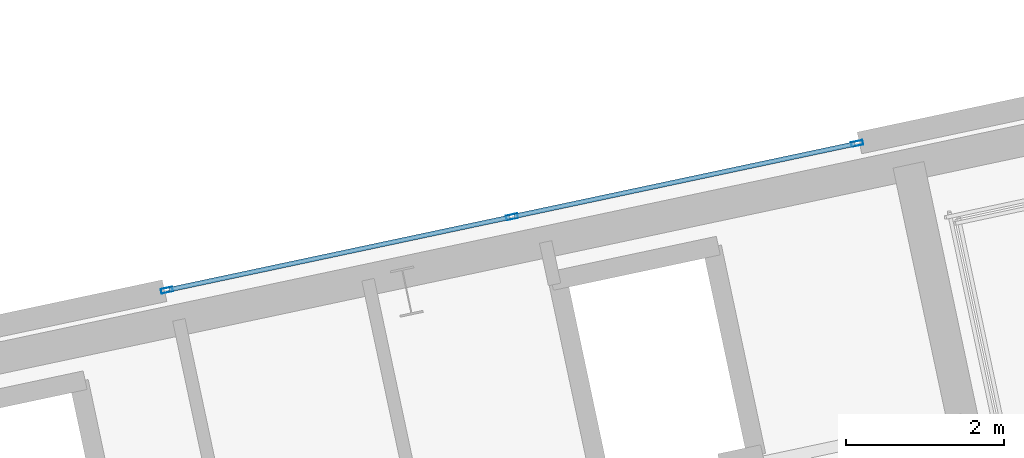
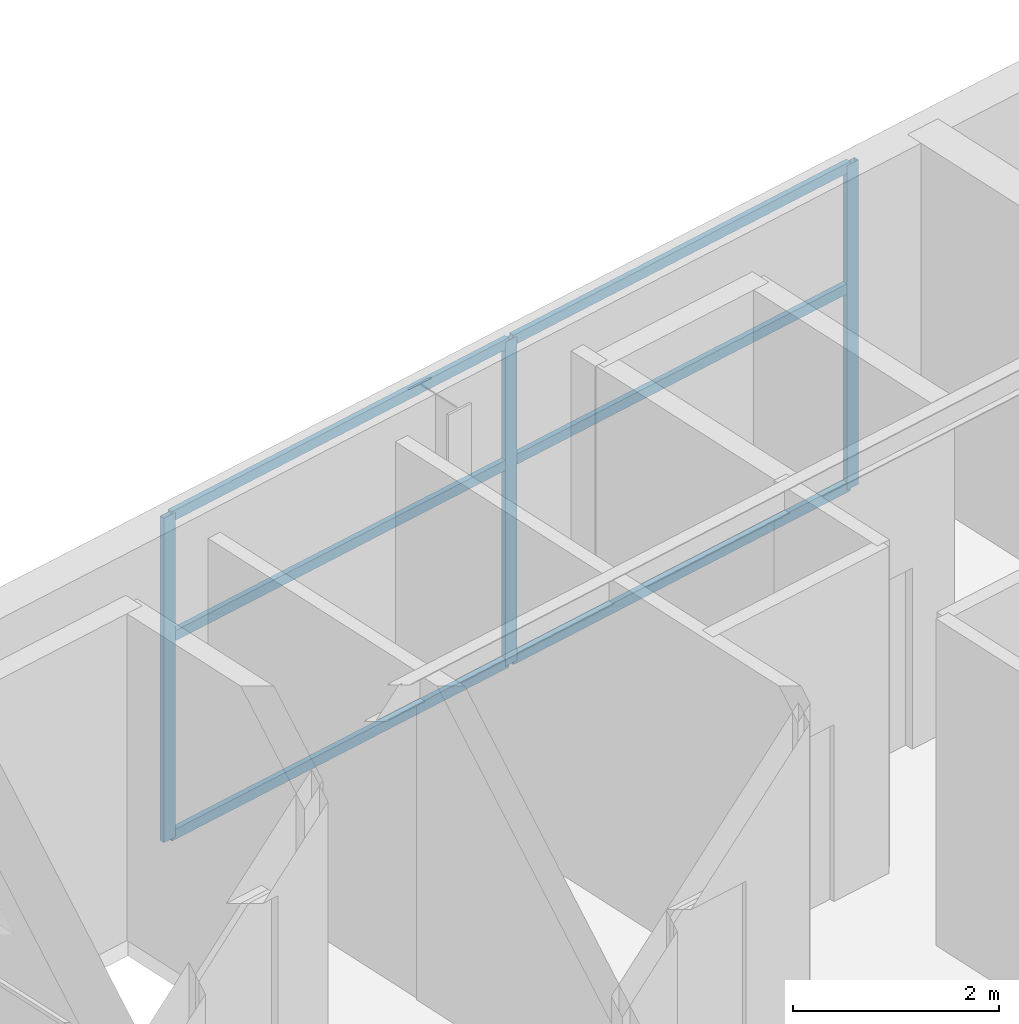
# One storey, part 11 of 23: 9 members, 1 element without a shape of its own.
"""IFC4 building model written with IfcOpenShell, lengths in metres."""

from ifc_helpers import new_model, si_unit, direction, frame, origin, origin_2d, place, context, subcontext, project, spatial, hollow_rectangle, extrude, material, layer, layer_set, material_profile, profile_set, type_object, element, aggregate, save


model = new_model("IFC4")

# Units and contexts
model_context = context("Model", 3, precision=1e-05, world=origin(), true_north=direction((0.0, 1.0)))
body_context = subcontext(model_context, "Body", "Model", "MODEL_VIEW")
ifc_project = project(units=[si_unit("LENGTHUNIT", "METRE"), si_unit("AREAUNIT", "SQUARE_METRE"), si_unit("VOLUMEUNIT", "CUBIC_METRE"), si_unit("PLANEANGLEUNIT", "RADIAN"), si_unit("MASSUNIT", "GRAM", prefix="KILO")], contexts=[model_context])

# Site, building, storey
site_placement = place(None, origin())
site = spatial("IfcSite", under=ifc_project, at=site_placement, CompositionType="ELEMENT")
building_placement = place(site_placement, origin())
building = spatial("IfcBuilding", under=site, at=building_placement, Name="Haevon Station Towers", CompositionType="ELEMENT")
storey_placement = place(building_placement, frame((0.0, 0.0, 197.10009765625)))
storey = spatial("IfcBuildingStorey", under=building, at=storey_placement, Name="L54", CompositionType="ELEMENT", Elevation=197.10009765625)

# Curtain wall, members
ifc_material_1 = material(Name="Anodised aluminium and Low-E double glazing", Category="aluminium")
ifc_layer = layer(ifc_material_1, 0.179931640625)
ifc_layer_set = layer_set([ifc_layer], Name="Anodised aluminium and Low-E double glazing")
curtain_wall_type = type_object("IfcCurtainWallType", Name="CW-SYS5", PredefinedType="NOTDEFINED", material=ifc_layer_set)
curtain_wall_placement = place(storey_placement, origin())
curtain_wall = element("IfcCurtainWall", 1, at=curtain_wall_placement, inside=storey, type_object=curtain_wall_type, Name="L54 Curtain Wall CW-T2-L54-N", PredefinedType="NOTDEFINED")
ifc_material_2 = material(Name="Anodised aluminium 6063-T6", Category="aluminium")
ifc_material_profile_1 = material_profile(ifc_material_2, hollow_rectangle(XDim=0.06005859375, YDim=0.14990234375, WallThickness=0.00341796875, at=origin_2d()), Name="CWM-150x60x3.5")
ifc_profile_set_1 = profile_set([ifc_material_profile_1], Name="Anodised aluminium 6063-T6")
member_type_1 = type_object("IfcMemberType", Name="CWM-150", PredefinedType="MULLION", material=ifc_profile_set_1)
member_1_placement = place(storey_placement, frame((104.03857421875, 48.78955078125, 0.0), z_axis=(0.0, 0.0, 1.0), x_axis=(-0.207911783211, 0.978147581095, 0.0)))
member_1 = element("IfcMember", 2, at=member_1_placement, type_object=member_type_1, Name="CW-SYS5 mullion 1", PredefinedType="MULLION", context=body_context, shape_type="SweptSolid", body=[
    extrude(hollow_rectangle(XDim=0.06005859375, YDim=0.14990234375, WallThickness=0.00341796875, at=origin_2d()), origin(), (0.0, 0.0, 1.0), 3.849853515625),
])
member_2_placement = place(storey_placement, frame((108.410888671875, 49.71875, 0.0), z_axis=(0.0, 0.0, 1.0), x_axis=(-0.207911783211, 0.978147581095, 0.0)))
member_2 = element("IfcMember", 3, at=member_2_placement, type_object=member_type_1, Name="CW-SYS5 mullion 2", PredefinedType="MULLION", context=body_context, shape_type="SweptSolid", body=[
    extrude(hollow_rectangle(XDim=0.06005859375, YDim=0.14990234375, WallThickness=0.00341796875, at=origin_2d()), origin(), (0.0, 0.0, 1.0), 3.849853515625),
])
member_3_placement = place(storey_placement, frame((112.783203125, 50.648193359375, 0.0), z_axis=(0.0, 0.0, 1.0), x_axis=(-0.207911783211, 0.978147581095, 0.0)))
member_3 = element("IfcMember", 4, at=member_3_placement, type_object=member_type_1, Name="CW-SYS5 mullion 3", PredefinedType="MULLION", context=body_context, shape_type="SweptSolid", body=[
    extrude(hollow_rectangle(XDim=0.06005859375, YDim=0.14990234375, WallThickness=0.00341796875, at=origin_2d()), origin(), (0.0, 0.0, 1.0), 3.849853515625),
])
ifc_material_profile_2 = material_profile(ifc_material_2, hollow_rectangle(XDim=0.06005859375, YDim=0.1201171875, WallThickness=0.0029296875, at=origin_2d()), Name="CWT-120x60x3")
ifc_profile_set_2 = profile_set([ifc_material_profile_2], Name="Anodised aluminium 6063-T6")
member_type_2 = type_object("IfcMemberType", Name="CWT-120", PredefinedType="USERDEFINED", material=ifc_profile_set_2)
member_4_placement = place(storey_placement, frame((104.068115234375, 48.795654296875, 0.02978515625), z_axis=(0.978141400356, 0.207940859165, 0.0), x_axis=(-0.207940859165, 0.978141400356, 0.0)))
member_4 = element("IfcMember", 5, at=member_4_placement, type_object=member_type_2, Name="CW-SYS5 transom 1.1", ObjectType="TRANSOM", PredefinedType="USERDEFINED", context=body_context, shape_type="SweptSolid", body=[
    extrude(hollow_rectangle(XDim=0.06005859375, YDim=0.1201171875, WallThickness=0.0029296875, at=origin_2d()), origin(), (0.0, 0.0, 1.0), 4.409912109375),
])
member_5_placement = place(storey_placement, frame((104.068115234375, 48.795654296875, 2.386962890625), z_axis=(0.978141400356, 0.207940859165, 0.0), x_axis=(-0.207940859165, 0.978141400356, 0.0)))
member_5 = element("IfcMember", 6, at=member_5_placement, type_object=member_type_2, Name="CW-SYS5 transom 1.2", ObjectType="TRANSOM", PredefinedType="USERDEFINED", context=body_context, shape_type="SweptSolid", body=[
    extrude(hollow_rectangle(XDim=0.06005859375, YDim=0.1201171875, WallThickness=0.0029296875, at=origin_2d()), origin(), (0.0, 0.0, 1.0), 4.409912109375),
])
member_6_placement = place(storey_placement, frame((104.068115234375, 48.795654296875, 3.81982421875), z_axis=(0.978141400356, 0.207940859165, 0.0), x_axis=(-0.207940859165, 0.978141400356, 0.0)))
member_6 = element("IfcMember", 7, at=member_6_placement, type_object=member_type_2, Name="CW-SYS5 transom 1.3", ObjectType="TRANSOM", PredefinedType="USERDEFINED", context=body_context, shape_type="SweptSolid", body=[
    extrude(hollow_rectangle(XDim=0.06005859375, YDim=0.1201171875, WallThickness=0.0029296875, at=origin_2d()), origin(), (0.0, 0.0, 1.0), 4.409912109375),
])
member_7_placement = place(storey_placement, frame((108.4404296875, 49.72509765625, 0.02978515625), z_axis=(0.9781526595, 0.207887889768, 0.0), x_axis=(-0.207887889768, 0.9781526595, 0.0)))
member_7 = element("IfcMember", 8, at=member_7_placement, type_object=member_type_2, Name="CW-SYS5 transom 2.1", ObjectType="TRANSOM", PredefinedType="USERDEFINED", context=body_context, shape_type="SweptSolid", body=[
    extrude(hollow_rectangle(XDim=0.06005859375, YDim=0.1201171875, WallThickness=0.0029296875, at=origin_2d()), origin(), (0.0, 0.0, 1.0), 4.409912109375),
])
member_8_placement = place(storey_placement, frame((108.4404296875, 49.72509765625, 2.386962890625), z_axis=(0.9781526595, 0.207887889768, 0.0), x_axis=(-0.207887889768, 0.9781526595, 0.0)))
member_8 = element("IfcMember", 9, at=member_8_placement, type_object=member_type_2, Name="CW-SYS5 transom 2.2", ObjectType="TRANSOM", PredefinedType="USERDEFINED", context=body_context, shape_type="SweptSolid", body=[
    extrude(hollow_rectangle(XDim=0.06005859375, YDim=0.1201171875, WallThickness=0.0029296875, at=origin_2d()), origin(), (0.0, 0.0, 1.0), 4.409912109375),
])
member_9_placement = place(storey_placement, frame((108.4404296875, 49.72509765625, 3.81982421875), z_axis=(0.9781526595, 0.207887889768, 0.0), x_axis=(-0.207887889768, 0.9781526595, 0.0)))
member_9 = element("IfcMember", 10, at=member_9_placement, type_object=member_type_2, Name="CW-SYS5 transom 2.3", ObjectType="TRANSOM", PredefinedType="USERDEFINED", context=body_context, shape_type="SweptSolid", body=[
    extrude(hollow_rectangle(XDim=0.06005859375, YDim=0.1201171875, WallThickness=0.0029296875, at=origin_2d()), origin(), (0.0, 0.0, 1.0), 4.409912109375),
])
aggregate(curtain_wall, [member_1, member_2, member_3, member_4, member_5, member_6, member_7, member_8, member_9])

save(model, "model.ifc")
